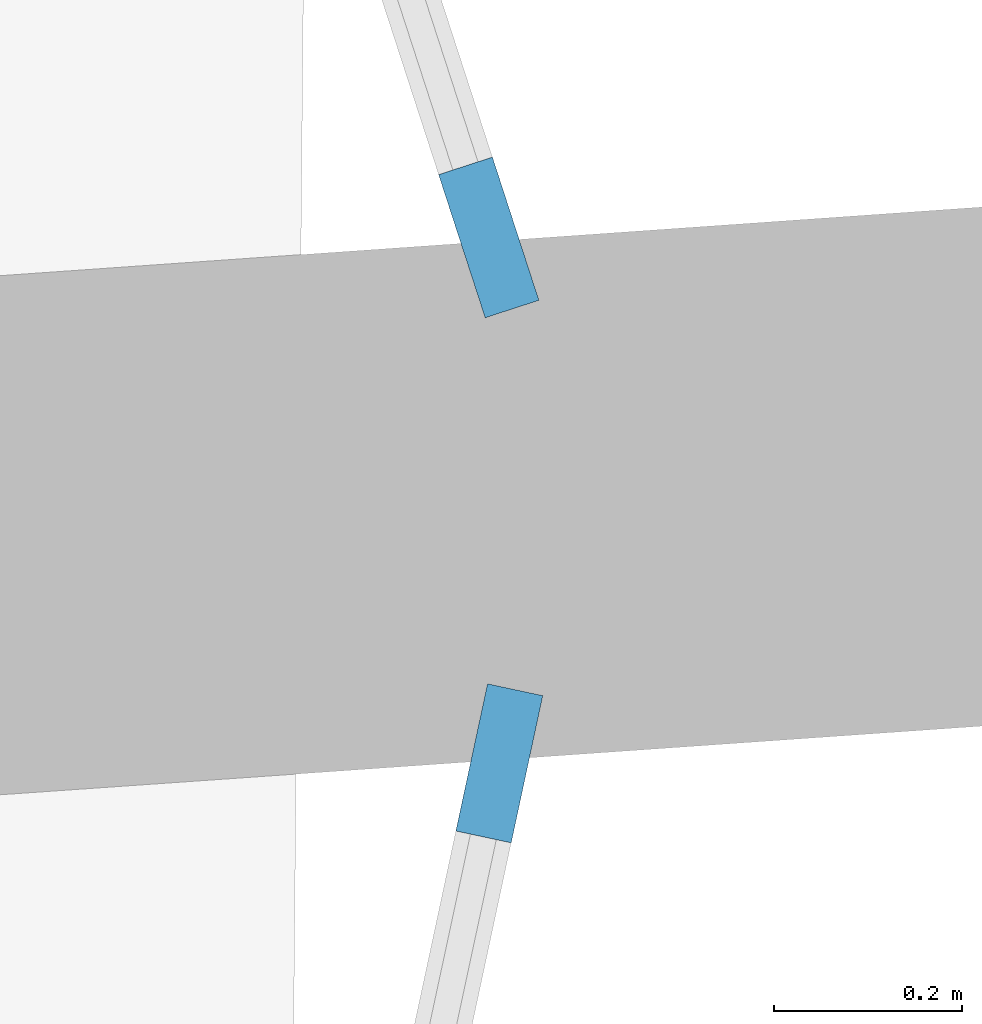
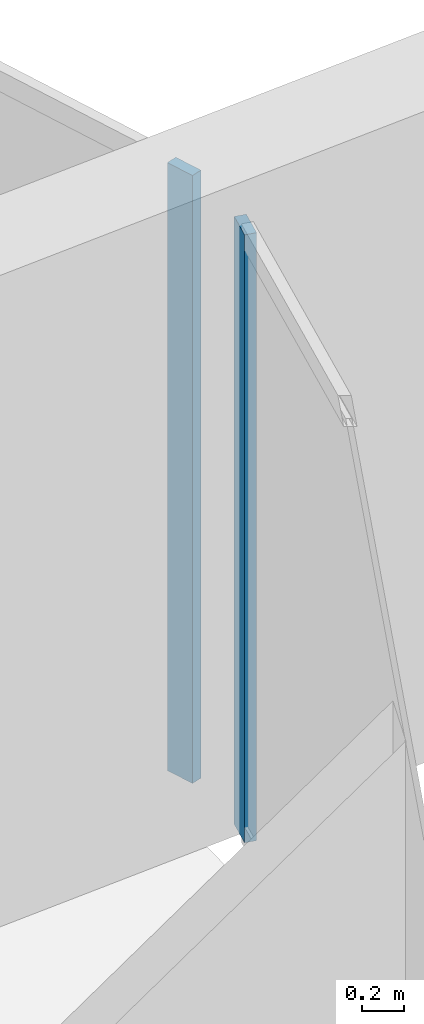
# One storey, part 17 of 31: 2 members, 2 elements without a shape of their own.
"""IFC4 building model written with IfcOpenShell, lengths in metres."""

from ifc_helpers import new_model, si_unit, direction, frame, origin, origin_2d, place, context, subcontext, project, spatial, rectangle, extrude, material, layer, layer_set, material_profile, profile_set, type_object, element, aggregate, save


model = new_model("IFC4")

# Units and contexts
model_context = context("Model", 3, precision=1e-05, world=origin(), true_north=direction((0.0, 1.0)))
body_context = subcontext(model_context, "Body", "Model", "MODEL_VIEW")
ifc_project = project(units=[si_unit("LENGTHUNIT", "METRE"), si_unit("AREAUNIT", "SQUARE_METRE"), si_unit("VOLUMEUNIT", "CUBIC_METRE"), si_unit("PLANEANGLEUNIT", "RADIAN"), si_unit("MASSUNIT", "GRAM", prefix="KILO")], contexts=[model_context])

# Site, building, storey
site_placement = place(None, origin())
site = spatial("IfcSite", under=ifc_project, at=site_placement, CompositionType="ELEMENT")
building_placement = place(site_placement, origin())
building = spatial("IfcBuilding", under=site, at=building_placement, Name="Kazma Halo Residences", CompositionType="ELEMENT")
storey_placement = place(building_placement, frame((0.0, 0.0, 48.89990234375)))
storey = spatial("IfcBuildingStorey", under=building, at=storey_placement, Name="L11", CompositionType="ELEMENT", Elevation=48.89990234375)

# Curtain wall, member
ifc_material_1 = material(Name="Aluminium AW-6063 T6 and Triple-Silver Low-E Glass", Category="aluminium")
ifc_layer = layer(ifc_material_1, 0.159912109375)
ifc_layer_set = layer_set([ifc_layer], Name="Aluminium AW-6063 T6 and Triple-Silver Low-E Glass")
curtain_wall_type = type_object("IfcCurtainWallType", Name="CW-SYS-2", PredefinedType="NOTDEFINED", material=ifc_layer_set)
curtain_wall_1_placement = place(storey_placement, origin())
curtain_wall_1 = element("IfcCurtainWall", 1, at=curtain_wall_1_placement, inside=storey, type_object=curtain_wall_type, Name="L11 unitised curtain wall B15", PredefinedType="NOTDEFINED")
ifc_material_2 = material(Name="Aluminium AW-6063 T6", Category="aluminium")
ifc_material_profile = material_profile(ifc_material_2, rectangle(XDim=0.06005859375, YDim=0.159912109375, at=origin_2d()), Name="CWM-60x160")
ifc_profile_set = profile_set([ifc_material_profile], Name="Aluminium AW-6063 T6")
member_type = type_object("IfcMemberType", Name="CW-SYS-2-MUL", PredefinedType="MULLION", material=ifc_profile_set)
member_1_placement = place(storey_placement, frame((79.74951171875, 43.940673828125, 0.0), z_axis=(0.0, 0.0, 1.0), x_axis=(-0.977779215096, 0.209637321406, 0.0)))
member_1 = element("IfcMember", 2, at=member_1_placement, type_object=member_type, Name="CWS-2 mullion 4", PredefinedType="MULLION", context=body_context, shape_type="SweptSolid", body=[
    extrude(rectangle(XDim=0.06005859375, YDim=0.159912109375, at=origin_2d()), origin(), (0.0, 0.0, 1.0), 3.5),
])
aggregate(curtain_wall_1, [member_1])

curtain_wall_2_placement = place(storey_placement, origin())
curtain_wall_2 = element("IfcCurtainWall", 3, at=curtain_wall_2_placement, inside=storey, type_object=curtain_wall_type, Name="L11 unitised curtain wall B16", PredefinedType="NOTDEFINED")
member_2_placement = place(storey_placement, frame((79.73828125, 44.499267578125, 0.0), z_axis=(0.0, 0.0, 1.0), x_axis=(-0.95105652404, -0.309016970539, 0.0)))
member_2 = element("IfcMember", 4, at=member_2_placement, type_object=member_type, Name="CWS-2 mullion 1", PredefinedType="MULLION", context=body_context, shape_type="SweptSolid", body=[
    extrude(rectangle(XDim=0.06005859375, YDim=0.159912109375, at=origin_2d()), origin(), (0.0, 0.0, 1.0), 3.5),
])
aggregate(curtain_wall_2, [member_2])

save(model, "model.ifc")
